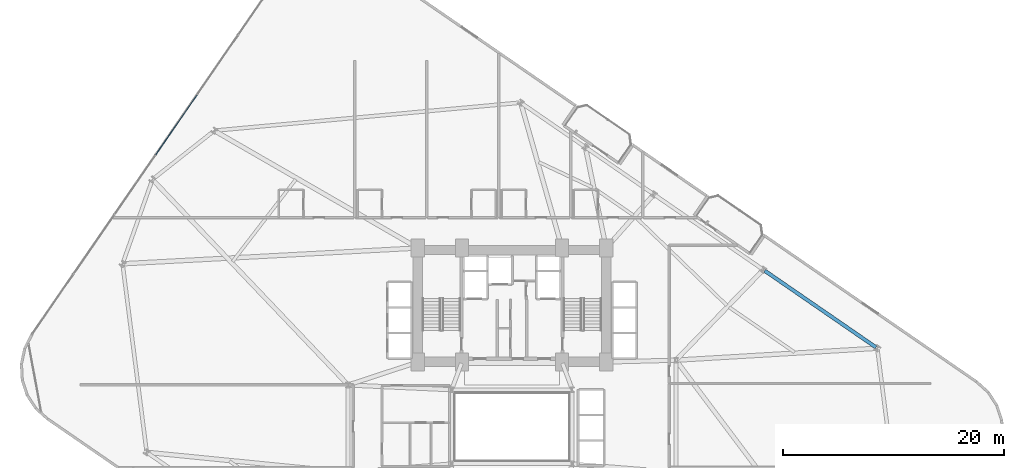
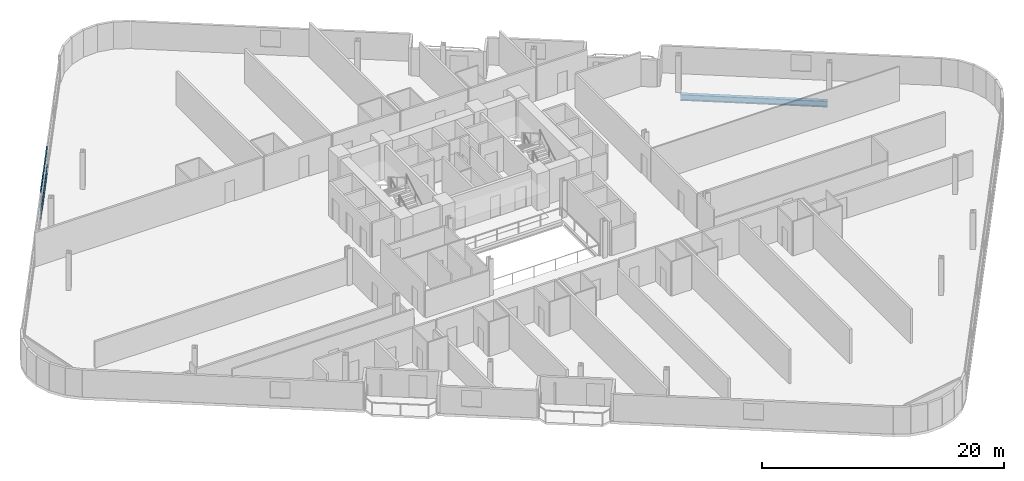
# One storey, part 14 of 27: 3 members, 1 beam, 1 element without a shape of its own.
"""IFC4 building model written with IfcOpenShell, lengths in metres."""

from ifc_helpers import new_model, si_unit, direction, frame, origin, origin_2d, place, context, subcontext, project, spatial, hollow_rectangle, i_section, extrude, material, layer, layer_set, material_profile, profile_set, type_object, element, aggregate, save


model = new_model("IFC4")

# Units and contexts
model_context = context("Model", 3, precision=1e-05, world=origin(), true_north=direction((0.0, 1.0)))
body_context = subcontext(model_context, "Body", "Model", "MODEL_VIEW")
ifc_project = project(units=[si_unit("LENGTHUNIT", "METRE"), si_unit("AREAUNIT", "SQUARE_METRE"), si_unit("VOLUMEUNIT", "CUBIC_METRE"), si_unit("PLANEANGLEUNIT", "RADIAN"), si_unit("MASSUNIT", "GRAM", prefix="KILO")], contexts=[model_context])

# Site, building, storey
site_placement = place(None, origin())
site = spatial("IfcSite", under=ifc_project, at=site_placement, CompositionType="ELEMENT")
building_placement = place(site_placement, origin())
building = spatial("IfcBuilding", under=site, at=building_placement, Name="Varnelok Gate Tower", CompositionType="ELEMENT")
storey_placement = place(building_placement, frame((0.0, 0.0, 60.300048828125)))
storey = spatial("IfcBuildingStorey", under=building, at=storey_placement, Name="L14", CompositionType="ELEMENT", Elevation=60.300048828125)

# Beam
ifc_material_1 = material(Name="Structural Steel ASTM A992 Grade 50", Category="steel")
ifc_material_profile_1 = material_profile(ifc_material_1, i_section(OverallWidth=0.323974609375, OverallDepth=0.611083984375, WebThickness=0.0126953125, FlangeThickness=0.01904296875, FilletRadius=0.01806640625, at=origin_2d()), Name="W24X104")
ifc_profile_set_1 = profile_set([ifc_material_profile_1], Name="Structural Steel ASTM A992 Grade 50")
beam_type = type_object("IfcBeamType", Name="BM-SPN-W24X104", PredefinedType="SPANDREL", material=ifc_profile_set_1)
beam_placement = place(storey_placement, frame((72.06201171875, 30.08251953125, -0.5556640625), z_axis=(-0.823543541425, 0.567253061144, 0.0), x_axis=(-0.567253061144, -0.823543541425, 0.0)))
element("IfcBeam", 1, at=beam_placement, inside=storey, type_object=beam_type, Name="L14 Perimeter Spandrel Beam 9", PredefinedType="SPANDREL", context=body_context, shape_type="SweptSolid", body=[
    extrude(i_section(OverallWidth=0.323974609375, OverallDepth=0.611083984375, WebThickness=0.0126953125, FlangeThickness=0.01904296875, FilletRadius=0.01806640625, at=origin_2d()), origin(), (0.0, 0.0, 1.0), 12.199951171875),
])

# Curtain wall, members
ifc_material_2 = material(Name="Anodized Aluminum Alloy 6063-T6", Category="aluminium")
ifc_layer = layer(ifc_material_2, 0.179931640625)
ifc_layer_set = layer_set([ifc_layer], Name="Anodized Aluminum Alloy 6063-T6")
curtain_wall_type = type_object("IfcCurtainWallType", Name="CW3-HOTEL-VISION", PredefinedType="USERDEFINED", material=ifc_layer_set)
curtain_wall_placement = place(storey_placement, origin())
curtain_wall = element("IfcCurtainWall", 2, at=curtain_wall_placement, inside=storey, type_object=curtain_wall_type, Name="L14 West End Vision Curtain Wall", ObjectType="UNITISED CURTAIN WALL", PredefinedType="USERDEFINED")
ifc_material_profile_2 = material_profile(ifc_material_2, hollow_rectangle(XDim=0.06494140625, YDim=0.159912109375, WallThickness=0.00390625, at=origin_2d()), Name="ALU160X65X4")
ifc_profile_set_2 = profile_set([ifc_material_profile_2], Name="Anodized Aluminum Alloy 6063-T6")
member_type = type_object("IfcMemberType", Name="CW-TRAN-160", PredefinedType="USERDEFINED", material=ifc_profile_set_2)
member_1_placement = place(storey_placement, frame((7.05126953125, 47.484375, 0.032470703125), z_axis=(0.567279204469, 0.823525533409, 0.0), x_axis=(-0.823525533409, 0.567279204469, 0.0)))
member_1 = element("IfcMember", 3, at=member_1_placement, type_object=member_type, Name="CW3 transom 4.1", ObjectType="TRANSOM", PredefinedType="USERDEFINED", context=body_context, shape_type="SweptSolid", body=[
    extrude(hollow_rectangle(XDim=0.06494140625, YDim=0.159912109375, WallThickness=0.00390625, at=origin_2d()), origin(), (0.0, 0.0, 1.0), 6.501708984375),
])
member_2_placement = place(storey_placement, frame((7.05126953125, 47.484375, 0.89990234375), z_axis=(0.567279204469, 0.823525533409, 0.0), x_axis=(-0.823525533409, 0.567279204469, 0.0)))
member_2 = element("IfcMember", 4, at=member_2_placement, type_object=member_type, Name="CW3 transom 4.2", ObjectType="TRANSOM", PredefinedType="USERDEFINED", context=body_context, shape_type="SweptSolid", body=[
    extrude(hollow_rectangle(XDim=0.06494140625, YDim=0.159912109375, WallThickness=0.00390625, at=origin_2d()), origin(), (0.0, 0.0, 1.0), 6.501708984375),
])
member_3_placement = place(storey_placement, frame((7.05126953125, 47.484375, 2.697509765625), z_axis=(0.567279204469, 0.823525533409, 0.0), x_axis=(-0.823525533409, 0.567279204469, 0.0)))
member_3 = element("IfcMember", 5, at=member_3_placement, type_object=member_type, Name="CW3 transom 4.3", ObjectType="TRANSOM", PredefinedType="USERDEFINED", context=body_context, shape_type="SweptSolid", body=[
    extrude(hollow_rectangle(XDim=0.06494140625, YDim=0.159912109375, WallThickness=0.00390625, at=origin_2d()), origin(), (0.0, 0.0, 1.0), 6.501708984375),
])
aggregate(curtain_wall, [member_1, member_2, member_3])

save(model, "model.ifc")
